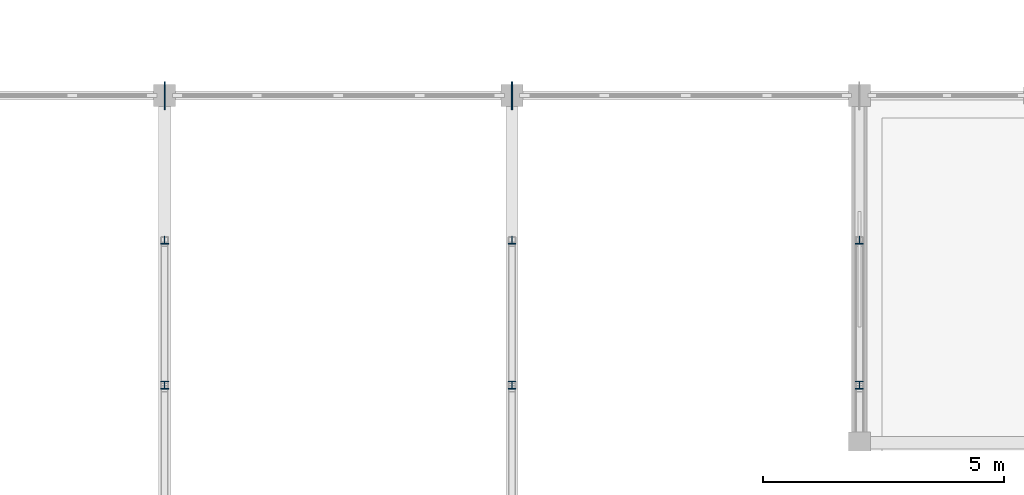
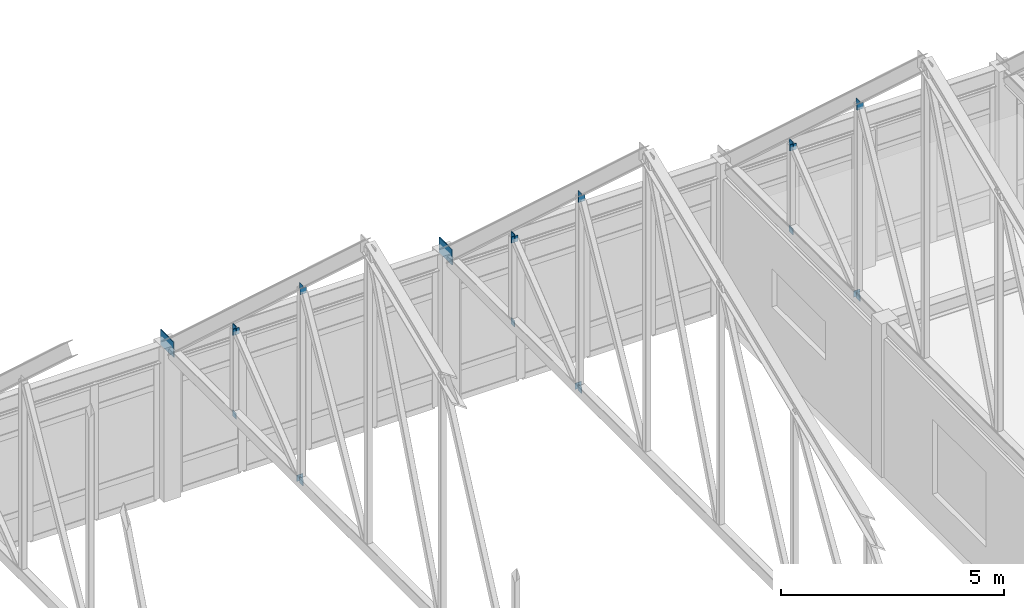
# One storey, part 106 of 136: 23 plates.
"""IFC4 building model written with IfcOpenShell, lengths in metres."""

from ifc_helpers import new_model, si_unit, direction, frame, origin, origin_2d, place, context, subcontext, project, spatial, rectangle, extrude, material, layer, layer_set, type_object, element, save


model = new_model("IFC4")

# Units and contexts
model_context = context("Model", 3, precision=1e-05, world=origin(), true_north=direction((0.0, 1.0)))
body_context = subcontext(model_context, "Body", "Model", "MODEL_VIEW")
ifc_project = project(units=[si_unit("LENGTHUNIT", "METRE"), si_unit("AREAUNIT", "SQUARE_METRE"), si_unit("VOLUMEUNIT", "CUBIC_METRE"), si_unit("PLANEANGLEUNIT", "RADIAN"), si_unit("MASSUNIT", "GRAM", prefix="KILO")], contexts=[model_context])

# Site, building, storey
site_placement = place(None, origin())
site = spatial("IfcSite", under=ifc_project, at=site_placement, CompositionType="ELEMENT")
building_placement = place(site_placement, origin())
building = spatial("IfcBuilding", under=site, at=building_placement, Name="Koriwan Promenade Central Fire Station", CompositionType="ELEMENT")
storey_placement = place(building_placement, frame((0.0, 0.0, 5.39990234375)))
storey = spatial("IfcBuildingStorey", under=building, at=storey_placement, Name="L01", CompositionType="ELEMENT", Elevation=5.39990234375)

# Plates
ifc_material = material(Name="Steel ASTM A572 Grade 50", Category="steel")
ifc_layer_1 = layer(ifc_material, 0.01611328125, Name="Steel ASTM A572 Grade 50")
ifc_layer_set_1 = layer_set([ifc_layer_1], Name="Steel ASTM A572 Grade 50")
plate_type_1 = type_object("IfcPlateType", Name="EndCap_HSS150", PredefinedType="SHEET", material=ifc_layer_set_1)
for number, where, z_axis, x_axis, name in (
    (1, (86.39990234375, 66.0, 3.9296875), (0.0, 0.0, 1.0), (1.0, 0.0, 0.0), "TR_V1_05 vertical 7 end cap 1"),
    (2, (86.39990234375, 66.0, 9.232666015625), (0.0, 0.0, 1.0), (1.0, 0.0, 0.0), "TR_V1_05 vertical 7 end cap 2"),
    (3, (86.39990234375, 69.0, 3.9296875), (0.0, 0.0, 1.0), (1.0, 0.0, 0.0), "TR_V1_05 vertical 8 end cap 1"),
    (4, (86.39990234375, 69.0, 6.299072265625), (0.0, 0.0, 1.0), (1.0, 0.0, 0.0), "TR_V1_05 vertical 8 end cap 2"),
    (5, (86.39990234375, 65.923828125, 9.181640625), (0.0, 0.0, 1.0), (0.0, 1.0, 0.0), "TR_V1_05 web diagonal 7 end cap 2"),
    (6, (86.39990234375, 66.07373046875, 3.982666015625), (0.0, 0.0, 1.0), (0.0, 1.0, 0.0), "TR_V1_05 web diagonal 8 end cap 1"),
    (7, (86.39990234375, 68.92626953125, 6.24609375), (0.0, 0.0, 1.0), (0.0, 1.0, 0.0), "TR_V1_05 web diagonal 8 end cap 2"),
    (8, (93.60009765625, 66.0, 3.9296875), (0.0, 0.0, 1.0), (1.0, 0.0, 0.0), "TR_V1_06 vertical 7 end cap 1"),
    (9, (93.60009765625, 66.0, 9.232666015625), (0.0, 0.0, 1.0), (1.0, 0.0, 0.0), "TR_V1_06 vertical 7 end cap 2"),
    (10, (93.60009765625, 69.0, 3.9296875), (0.0, 0.0, 1.0), (1.0, 0.0, 0.0), "TR_V1_06 vertical 8 end cap 1"),
    (11, (93.60009765625, 69.0, 6.299072265625), (0.0, 0.0, 1.0), (1.0, 0.0, 0.0), "TR_V1_06 vertical 8 end cap 2"),
    (12, (93.60009765625, 65.923828125, 9.181640625), (0.0, 0.0, 1.0), (0.0, 1.0, 0.0), "TR_V1_06 web diagonal 7 end cap 2"),
    (13, (93.60009765625, 66.07373046875, 3.982666015625), (0.0, 0.0, 1.0), (0.0, 1.0, 0.0), "TR_V1_06 web diagonal 8 end cap 1"),
    (14, (93.60009765625, 68.92626953125, 6.24609375), (0.0, 0.0, 1.0), (0.0, 1.0, 0.0), "TR_V1_06 web diagonal 8 end cap 2"),
    (15, (100.800048828125, 66.0, 3.9296875), (0.0, 0.0, 1.0), (1.0, 0.0, 0.0), "TR_V1_07 vertical 7 end cap 1"),
    (16, (100.800048828125, 66.0, 9.232666015625), (0.0, 0.0, 1.0), (1.0, 0.0, 0.0), "TR_V1_07 vertical 7 end cap 2"),
    (17, (100.800048828125, 69.0, 3.9296875), (0.0, 0.0, 1.0), (1.0, 0.0, 0.0), "TR_V1_07 vertical 8 end cap 1"),
    (18, (100.800048828125, 69.0, 6.299072265625), (0.0, 0.0, 1.0), (1.0, 0.0, 0.0), "TR_V1_07 vertical 8 end cap 2"),
    (19, (100.800048828125, 65.923828125, 9.181640625), (0.0, 0.0, 1.0), (0.0, 1.0, 0.0), "TR_V1_07 web diagonal 7 end cap 2"),
    (20, (100.800048828125, 66.07373046875, 3.982666015625), (0.0, 0.0, 1.0), (0.0, 1.0, 0.0), "TR_V1_07 web diagonal 8 end cap 1"),
    (21, (100.800048828125, 68.92626953125, 6.24609375), (0.0, 0.0, 1.0), (0.0, 1.0, 0.0), "TR_V1_07 web diagonal 8 end cap 2"),
):
    element("IfcPlate", number, at=place(storey_placement, frame(where, z_axis=z_axis, x_axis=x_axis)), inside=storey, type_object=plate_type_1, Name=name, PredefinedType="SHEET", context=body_context, shape_type="SweptSolid", body=[
        extrude(rectangle(XDim=0.01611328125, YDim=0.1650390625, at=origin_2d()), origin(), (0.0, 0.0, 1.0), 0.1650390625),
    ])
ifc_layer_2 = layer(ifc_material, 0.419921875, Name="Steel ASTM A572 Grade 50")
ifc_layer_set_2 = layer_set([ifc_layer_2], Name="Steel ASTM A572 Grade 50")
plate_type_2 = type_object("IfcPlateType", Name="NodeGusset_Eave", PredefinedType="SHEET", material=ifc_layer_set_2)
for number, where, z_axis, x_axis, name in (
    (22, (86.39990234375, 72.0, 3.93017578125), (0.0, 0.0, 1.0), (1.0, 0.0, 0.0), "TR_V1_05 eave node gusset TN-E1 (N)"),
    (23, (93.60009765625, 72.0, 3.93017578125), (0.0, 0.0, 1.0), (1.0, 0.0, 0.0), "TR_V1_06 eave node gusset TN-E1 (N)"),
):
    element("IfcPlate", number, at=place(storey_placement, frame(where, z_axis=z_axis, x_axis=x_axis)), inside=storey, type_object=plate_type_2, Name=name, PredefinedType="SHEET", context=body_context, shape_type="SweptSolid", body=[
        extrude(rectangle(XDim=0.02197265625, YDim=0.580078125, at=origin_2d()), origin(), (0.0, 0.0, 1.0), 0.419921875),
    ])

save(model, "model.ifc")
